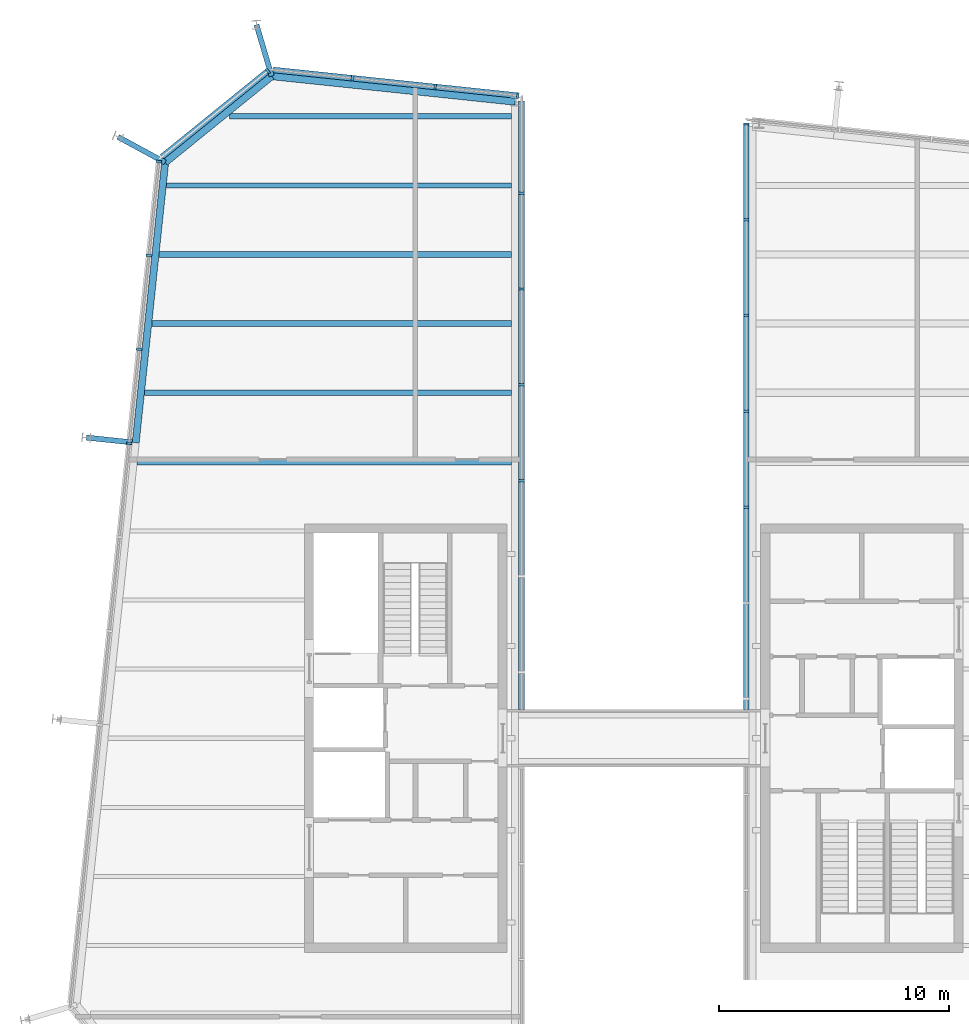
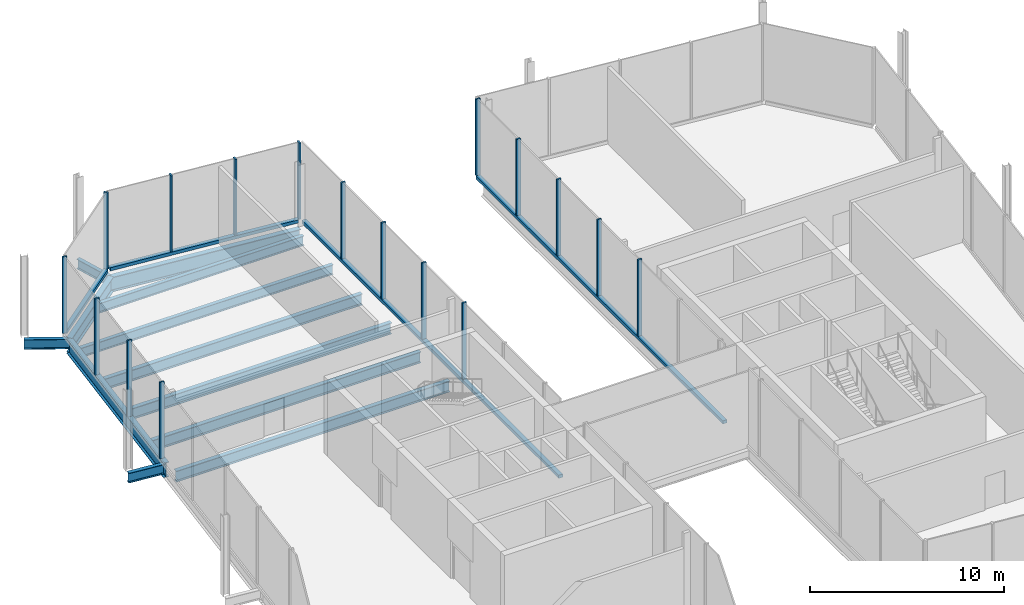
# One storey, part 5 of 12: 21 members, 12 beams, 5 elements without a shape of their own.
"""IFC4 building model written with IfcOpenShell, lengths in metres."""

from ifc_helpers import new_model, si_unit, direction, frame, origin, origin_2d, place, context, subcontext, project, spatial, rectangle, i_section, extrude, material, layer, layer_set, material_profile, profile_set, type_object, element, aggregate, save


model = new_model("IFC4")

# Units and contexts
model_context = context("Model", 3, precision=1e-05, world=origin(), true_north=direction((0.0, 1.0)))
body_context = subcontext(model_context, "Body", "Model", "MODEL_VIEW")
ifc_project = project(units=[si_unit("LENGTHUNIT", "METRE"), si_unit("AREAUNIT", "SQUARE_METRE"), si_unit("VOLUMEUNIT", "CUBIC_METRE"), si_unit("PLANEANGLEUNIT", "RADIAN"), si_unit("MASSUNIT", "GRAM", prefix="KILO")], contexts=[model_context])

# Site, building, storey
site_placement = place(None, origin())
site = spatial("IfcSite", under=ifc_project, at=site_placement, CompositionType="ELEMENT")
building_placement = place(site_placement, origin())
building = spatial("IfcBuilding", under=site, at=building_placement, Name="Millrace Tower", CompositionType="ELEMENT")
storey_placement = place(building_placement, frame((0.0, 0.0, 347.10009765625)))
storey = spatial("IfcBuildingStorey", under=building, at=storey_placement, Name="L80", CompositionType="ELEMENT", Elevation=347.10009765625)

# Curtain wall, members
ifc_material_1 = material(Name="Aluminium and glass", Category="aluminium")
ifc_layer = layer(ifc_material_1, 0.25)
ifc_layer_set = layer_set([ifc_layer], Name="Aluminium and glass")
curtain_wall_type = type_object("IfcCurtainWallType", Name="CW-7 crown louvred enclosure", PredefinedType="NOTDEFINED", material=ifc_layer_set)
placement = place(storey_placement, origin())
curtain_wall_1 = element("IfcCurtainWall", 1, at=placement, inside=storey, type_object=curtain_wall_type, Name="Curtain wall CW-F01 L80", PredefinedType="NOTDEFINED")
ifc_material_2 = material(Name="Aluminium", Category="aluminium")
ifc_material_profile_1 = material_profile(ifc_material_2, rectangle(XDim=0.10009765625, YDim=0.25, at=origin_2d()))
ifc_profile_set_1 = profile_set([ifc_material_profile_1], Name="Aluminium")
member_type_1 = type_object("IfcMemberType", Name="CW-7 crown louvred enclosure mullion", PredefinedType="MULLION", material=ifc_profile_set_1)
member_1_placement = place(storey_placement, frame((-4.875, 11.185302734375, 0.199951171875), z_axis=(0.0, 0.0, 1.0), x_axis=(0.0, 1.0, 0.0)))
member_1 = element("IfcMember", 2, at=member_1_placement, type_object=member_type_1, Name="CW7 mullion CW-F01.8", PredefinedType="MULLION", context=body_context, shape_type="SweptSolid", body=[
    extrude(rectangle(XDim=0.10009765625, YDim=0.25, at=origin_2d()), origin(), (0.0, 0.0, 1.0), 4.800048828125),
])
member_2_placement = place(storey_placement, frame((-4.875, 15.344482421875, 0.199951171875), z_axis=(0.0, 0.0, 1.0), x_axis=(0.0, 1.0, 0.0)))
member_2 = element("IfcMember", 3, at=member_2_placement, type_object=member_type_1, Name="CW7 mullion CW-F01.9", PredefinedType="MULLION", context=body_context, shape_type="SweptSolid", body=[
    extrude(rectangle(XDim=0.10009765625, YDim=0.25, at=origin_2d()), origin(), (0.0, 0.0, 1.0), 4.800048828125),
])
member_3_placement = place(storey_placement, frame((-4.875, 19.503662109375, 0.199951171875), z_axis=(0.0, 0.0, 1.0), x_axis=(0.0, 1.0, 0.0)))
member_3 = element("IfcMember", 4, at=member_3_placement, type_object=member_type_1, Name="CW7 mullion CW-F01.10", PredefinedType="MULLION", context=body_context, shape_type="SweptSolid", body=[
    extrude(rectangle(XDim=0.10009765625, YDim=0.25, at=origin_2d()), origin(), (0.0, 0.0, 1.0), 4.800048828125),
])
member_4_placement = place(storey_placement, frame((-4.875, 23.66259765625, 0.199951171875), z_axis=(0.0, 0.0, 1.0), x_axis=(0.0, 1.0, 0.0)))
member_4 = element("IfcMember", 5, at=member_4_placement, type_object=member_type_1, Name="CW7 mullion CW-F01.11", PredefinedType="MULLION", context=body_context, shape_type="SweptSolid", body=[
    extrude(rectangle(XDim=0.10009765625, YDim=0.25, at=origin_2d()), origin(), (0.0, 0.0, 1.0), 4.800048828125),
])

curtain_wall_2 = element("IfcCurtainWall", 6, at=placement, inside=storey, type_object=curtain_wall_type, Name="Curtain wall CW-F02 L80", PredefinedType="NOTDEFINED")
member_5_placement = place(storey_placement, frame((-5.03662109375, 27.9013671875, 0.199951171875), z_axis=(0.0, 0.0, 1.0), x_axis=(-0.994521893816, 0.104528478039, 0.0)))
member_5 = element("IfcMember", 7, at=member_5_placement, type_object=member_type_1, Name="CW7 mullion CW-F02.1", PredefinedType="MULLION", context=body_context, shape_type="SweptSolid", body=[
    extrude(rectangle(XDim=0.10009765625, YDim=0.25, at=origin_2d()), origin(), (0.0, 0.0, 1.0), 4.800048828125),
])
member_6_placement = place(storey_placement, frame((-8.626953125, 28.27880859375, 0.199951171875), z_axis=(0.0, 0.0, 1.0), x_axis=(-0.994521893816, 0.104528478039, 0.0)))
member_6 = element("IfcMember", 8, at=member_6_placement, type_object=member_type_1, Name="CW7 mullion CW-F02.2", PredefinedType="MULLION", context=body_context, shape_type="SweptSolid", body=[
    extrude(rectangle(XDim=0.10009765625, YDim=0.25, at=origin_2d()), origin(), (0.0, 0.0, 1.0), 4.800048828125),
])
member_7_placement = place(storey_placement, frame((-12.21728515625, 28.656005859375, 0.199951171875), z_axis=(0.0, 0.0, 1.0), x_axis=(-0.994521893816, 0.104528478039, 0.0)))
member_7 = element("IfcMember", 9, at=member_7_placement, type_object=member_type_1, Name="CW7 mullion CW-F02.3", PredefinedType="MULLION", context=body_context, shape_type="SweptSolid", body=[
    extrude(rectangle(XDim=0.10009765625, YDim=0.25, at=origin_2d()), origin(), (0.0, 0.0, 1.0), 4.800048828125),
])

# Curtain wall, member
curtain_wall_3 = element("IfcCurtainWall", 10, at=placement, inside=storey, type_object=curtain_wall_type, Name="Curtain wall CW-F03 L80", PredefinedType="NOTDEFINED")
member_8_placement = place(storey_placement, frame((-15.888427734375, 28.969482421875, 0.199951171875), z_axis=(0.0, 0.0, 1.0), x_axis=(-0.777146052237, -0.629320278945, 0.0)))
member_8 = element("IfcMember", 11, at=member_8_placement, type_object=member_type_1, Name="CW7 mullion CW-F03.1", PredefinedType="MULLION", context=body_context, shape_type="SweptSolid", body=[
    extrude(rectangle(XDim=0.10009765625, YDim=0.25, at=origin_2d()), origin(), (0.0, 0.0, 1.0), 4.800048828125),
])

# Curtain wall, members
curtain_wall_4 = element("IfcCurtainWall", 12, at=placement, inside=storey, type_object=curtain_wall_type, Name="Curtain wall CW-F04 L80", PredefinedType="NOTDEFINED")
member_9_placement = place(storey_placement, frame((-20.62646484375, 25.040283203125, 0.199951171875), z_axis=(0.0, 0.0, 1.0), x_axis=(-0.104528455196, -0.994521896217, 0.0)))
member_9 = element("IfcMember", 13, at=member_9_placement, type_object=member_type_1, Name="CW7 mullion CW-F04.1", PredefinedType="MULLION", context=body_context, shape_type="SweptSolid", body=[
    extrude(rectangle(XDim=0.10009765625, YDim=0.25, at=origin_2d()), origin(), (0.0, 0.0, 1.0), 4.800048828125),
])
member_10_placement = place(storey_placement, frame((-21.054931640625, 20.962646484375, 0.199951171875), z_axis=(0.0, 0.0, 1.0), x_axis=(-0.104528455196, -0.994521896217, 0.0)))
member_10 = element("IfcMember", 14, at=member_10_placement, type_object=member_type_1, Name="CW7 mullion CW-F04.2", PredefinedType="MULLION", context=body_context, shape_type="SweptSolid", body=[
    extrude(rectangle(XDim=0.10009765625, YDim=0.25, at=origin_2d()), origin(), (0.0, 0.0, 1.0), 4.800048828125),
])
member_11_placement = place(storey_placement, frame((-21.4833984375, 16.88525390625, 0.199951171875), z_axis=(0.0, 0.0, 1.0), x_axis=(-0.104528455196, -0.994521896217, 0.0)))
member_11 = element("IfcMember", 15, at=member_11_placement, type_object=member_type_1, Name="CW7 mullion CW-F04.3", PredefinedType="MULLION", context=body_context, shape_type="SweptSolid", body=[
    extrude(rectangle(XDim=0.10009765625, YDim=0.25, at=origin_2d()), origin(), (0.0, 0.0, 1.0), 4.800048828125),
])
member_12_placement = place(storey_placement, frame((-21.912109375, 12.8076171875, 0.199951171875), z_axis=(0.0, 0.0, 1.0), x_axis=(-0.104528455196, -0.994521896217, 0.0)))
member_12 = element("IfcMember", 16, at=member_12_placement, type_object=member_type_1, Name="CW7 mullion CW-F04.4", PredefinedType="MULLION", context=body_context, shape_type="SweptSolid", body=[
    extrude(rectangle(XDim=0.10009765625, YDim=0.25, at=origin_2d()), origin(), (0.0, 0.0, 1.0), 4.800048828125),
])
aggregate(curtain_wall_4, [member_9, member_10, member_11, member_12])

curtain_wall_5 = element("IfcCurtainWall", 17, at=placement, inside=storey, type_object=curtain_wall_type, Name="Curtain wall CE-F01 L80", PredefinedType="NOTDEFINED")
member_13_placement = place(storey_placement, frame((4.875, 26.6708984375, 0.199951171875), z_axis=(0.0, 0.0, 1.0), x_axis=(0.0, -1.0, 0.0)))
member_13 = element("IfcMember", 18, at=member_13_placement, type_object=member_type_1, Name="CW7 mullion CE-F01.1", PredefinedType="MULLION", context=body_context, shape_type="SweptSolid", body=[
    extrude(rectangle(XDim=0.10009765625, YDim=0.25, at=origin_2d()), origin(), (0.0, 0.0, 1.0), 4.800048828125),
])
member_14_placement = place(storey_placement, frame((4.875, 22.51171875, 0.199951171875), z_axis=(0.0, 0.0, 1.0), x_axis=(0.0, -1.0, 0.0)))
member_14 = element("IfcMember", 19, at=member_14_placement, type_object=member_type_1, Name="CW7 mullion CE-F01.2", PredefinedType="MULLION", context=body_context, shape_type="SweptSolid", body=[
    extrude(rectangle(XDim=0.10009765625, YDim=0.25, at=origin_2d()), origin(), (0.0, 0.0, 1.0), 4.800048828125),
])
member_15_placement = place(storey_placement, frame((4.875, 18.3525390625, 0.199951171875), z_axis=(0.0, 0.0, 1.0), x_axis=(0.0, -1.0, 0.0)))
member_15 = element("IfcMember", 20, at=member_15_placement, type_object=member_type_1, Name="CW7 mullion CE-F01.3", PredefinedType="MULLION", context=body_context, shape_type="SweptSolid", body=[
    extrude(rectangle(XDim=0.10009765625, YDim=0.25, at=origin_2d()), origin(), (0.0, 0.0, 1.0), 4.800048828125),
])
member_16_placement = place(storey_placement, frame((4.875, 14.193359375, 0.199951171875), z_axis=(0.0, 0.0, 1.0), x_axis=(0.0, -1.0, 0.0)))
member_16 = element("IfcMember", 21, at=member_16_placement, type_object=member_type_1, Name="CW7 mullion CE-F01.4", PredefinedType="MULLION", context=body_context, shape_type="SweptSolid", body=[
    extrude(rectangle(XDim=0.10009765625, YDim=0.25, at=origin_2d()), origin(), (0.0, 0.0, 1.0), 4.800048828125),
])
member_17_placement = place(storey_placement, frame((4.875, 10.0341796875, 0.199951171875), z_axis=(0.0, 0.0, 1.0), x_axis=(0.0, -1.0, 0.0)))
member_17 = element("IfcMember", 22, at=member_17_placement, type_object=member_type_1, Name="CW7 mullion CE-F01.5", PredefinedType="MULLION", context=body_context, shape_type="SweptSolid", body=[
    extrude(rectangle(XDim=0.10009765625, YDim=0.25, at=origin_2d()), origin(), (0.0, 0.0, 1.0), 4.800048828125),
])

# Member
ifc_material_3 = material(Name="Aluminium", Category="aluminium")
ifc_material_profile_2 = material_profile(ifc_material_3, rectangle(XDim=0.25, YDim=0.199951171875, at=origin_2d()))
ifc_profile_set_2 = profile_set([ifc_material_profile_2], Name="Aluminium")
member_type_2 = type_object("IfcMemberType", Name="CW-7 crown louvred enclosure transom", PredefinedType="USERDEFINED", material=ifc_profile_set_2)
member_18_placement = place(storey_placement, frame((-5.08642578125, 27.90673828125, 0.099853515625), z_axis=(-0.994522680115, 0.104520996633, 0.0), x_axis=(-0.104520996633, -0.994522680115, 0.0)))
member_18 = element("IfcMember", 23, at=member_18_placement, type_object=member_type_2, Name="CW7 transom CW-F02.1", ObjectType="TRANSOM", PredefinedType="USERDEFINED", context=body_context, shape_type="SweptSolid", body=[
    extrude(rectangle(XDim=0.25, YDim=0.199951171875, at=origin_2d()), origin(), (0.0, 0.0, 1.0), 10.630126953125),
])

aggregate(curtain_wall_2, [member_5, member_6, member_7, member_18])

member_19_placement = place(storey_placement, frame((-15.92724609375, 28.938232421875, 0.099853515625), z_axis=(-0.777145289151, -0.629321221277, 0.0), x_axis=(0.629321221277, -0.777145289151, 0.0)))
member_19 = element("IfcMember", 24, at=member_19_placement, type_object=member_type_2, Name="CW7 transom CW-F03.1", ObjectType="TRANSOM", PredefinedType="USERDEFINED", context=body_context, shape_type="SweptSolid", body=[
    extrude(rectangle(XDim=0.25, YDim=0.199951171875, at=origin_2d()), origin(), (0.0, 0.0, 1.0), 5.881103515625),
])

aggregate(curtain_wall_3, [member_8, member_19])

member_20_placement = place(storey_placement, frame((-4.875, 1.239990234375, 0.099853515625), z_axis=(0.0, 1.0, 0.0), x_axis=(-1.0, 0.0, 0.0)))
member_20 = element("IfcMember", 25, at=member_20_placement, type_object=member_type_2, Name="CW7 transom CW-F01.1", ObjectType="TRANSOM", PredefinedType="USERDEFINED", context=body_context, shape_type="SweptSolid", body=[
    extrude(rectangle(XDim=0.25, YDim=0.199951171875, at=origin_2d()), origin(), (0.0, 0.0, 1.0), 26.431884765625),
])

aggregate(curtain_wall_1, [member_1, member_2, member_3, member_4, member_20])

member_21_placement = place(storey_placement, frame((4.875, 1.239990234375, 0.099853515625), z_axis=(0.0, 1.0, 0.0), x_axis=(-1.0, 0.0, 0.0)))
member_21 = element("IfcMember", 26, at=member_21_placement, type_object=member_type_2, Name="CW7 transom CE-F01.1", ObjectType="TRANSOM", PredefinedType="USERDEFINED", context=body_context, shape_type="SweptSolid", body=[
    extrude(rectangle(XDim=0.25, YDim=0.199951171875, at=origin_2d()), origin(), (0.0, 0.0, 1.0), 25.380859375),
])

aggregate(curtain_wall_5, [member_13, member_14, member_15, member_16, member_17, member_21])

# Beams
ifc_material_4 = material(Name="Steel ASTM A992 Grade 50", Category="steel")
ifc_material_profile_3 = material_profile(ifc_material_4, i_section(OverallWidth=0.228271484375, OverallDepth=0.607177734375, WebThickness=0.01123046875, FlangeThickness=0.017333984375, FilletRadius=0.0126953125, at=origin_2d()))
ifc_profile_set_3 = profile_set([ifc_material_profile_3], Name="Steel ASTM A992 Grade 50")
beam_type_1 = type_object("IfcBeamType", Name="Floor beam W24x76", PredefinedType="JOIST", material=ifc_profile_set_3)
beam_1_placement = place(storey_placement, frame((-20.301025390625, 24.0, -0.503662109375), z_axis=(1.0, 0.0, 0.0), x_axis=(0.0, 1.0, 0.0)))
element("IfcBeam", 27, at=beam_1_placement, inside=storey, type_object=beam_type_1, Name="BM-CROWN-L80-SW-S014", PredefinedType="JOIST", context=body_context, shape_type="SweptSolid", body=[
    extrude(i_section(OverallWidth=0.228271484375, OverallDepth=0.607177734375, WebThickness=0.01123046875, FlangeThickness=0.017333984375, FilletRadius=0.0126953125, at=origin_2d()), origin(), (0.0, 0.0, 1.0), 14.99365234375),
])
beam_2_placement = place(storey_placement, frame((-17.565673828125, 27.0, -0.503662109375), z_axis=(1.0, 0.0, 0.0), x_axis=(0.0, 1.0, 0.0)))
element("IfcBeam", 28, at=beam_2_placement, inside=storey, type_object=beam_type_1, Name="BM-CROWN-L80-SW-S015", PredefinedType="JOIST", context=body_context, shape_type="SweptSolid", body=[
    extrude(i_section(OverallWidth=0.228271484375, OverallDepth=0.607177734375, WebThickness=0.01123046875, FlangeThickness=0.017333984375, FilletRadius=0.0126953125, at=origin_2d()), origin(), (0.0, 0.0, 1.0), 12.25830078125),
])
ifc_material_5 = material(Name="Steel ASTM A992 Grade 50", Category="steel")
ifc_material_profile_4 = material_profile(ifc_material_5, i_section(OverallWidth=0.256591796875, OverallDepth=0.693359375, WebThickness=0.014404296875, FlangeThickness=0.023681640625, FilletRadius=0.01513671875, at=origin_2d()))
ifc_profile_set_4 = profile_set([ifc_material_profile_4], Name="Steel ASTM A992 Grade 50")
beam_type_2 = type_object("IfcBeamType", Name="Floor beam W27x114", PredefinedType="JOIST", material=ifc_profile_set_4)
beam_3_placement = place(storey_placement, frame((-21.562255859375, 12.0, -0.546875), z_axis=(1.0, 0.0, 0.0), x_axis=(0.0, 1.0, 0.0)))
element("IfcBeam", 29, at=beam_3_placement, inside=storey, type_object=beam_type_2, Name="BM-CROWN-L80-SW-S010", PredefinedType="JOIST", context=body_context, shape_type="SweptSolid", body=[
    extrude(i_section(OverallWidth=0.256591796875, OverallDepth=0.693359375, WebThickness=0.014404296875, FlangeThickness=0.023681640625, FilletRadius=0.01513671875, at=origin_2d()), origin(), (0.0, 0.0, 1.0), 16.2548828125),
])
beam_4_placement = place(storey_placement, frame((-21.246826171875, 15.0, -0.546875), z_axis=(1.0, 0.0, 0.0), x_axis=(0.0, 1.0, 0.0)))
element("IfcBeam", 30, at=beam_4_placement, inside=storey, type_object=beam_type_2, Name="BM-CROWN-L80-SW-S011", PredefinedType="JOIST", context=body_context, shape_type="SweptSolid", body=[
    extrude(i_section(OverallWidth=0.256591796875, OverallDepth=0.693359375, WebThickness=0.014404296875, FlangeThickness=0.023681640625, FilletRadius=0.01513671875, at=origin_2d()), origin(), (0.0, 0.0, 1.0), 15.939453125),
])
beam_5_placement = place(storey_placement, frame((-20.931640625, 18.0, -0.546875), z_axis=(1.0, 0.0, 0.0), x_axis=(0.0, 1.0, 0.0)))
element("IfcBeam", 31, at=beam_5_placement, inside=storey, type_object=beam_type_2, Name="BM-CROWN-L80-SW-S012", PredefinedType="JOIST", context=body_context, shape_type="SweptSolid", body=[
    extrude(i_section(OverallWidth=0.256591796875, OverallDepth=0.693359375, WebThickness=0.014404296875, FlangeThickness=0.023681640625, FilletRadius=0.01513671875, at=origin_2d()), origin(), (0.0, 0.0, 1.0), 15.624267578125),
])
beam_6_placement = place(storey_placement, frame((-20.6162109375, 21.0, -0.546875), z_axis=(1.0, 0.0, 0.0), x_axis=(0.0, 1.0, 0.0)))
element("IfcBeam", 32, at=beam_6_placement, inside=storey, type_object=beam_type_2, Name="BM-CROWN-L80-SW-S013", PredefinedType="JOIST", context=body_context, shape_type="SweptSolid", body=[
    extrude(i_section(OverallWidth=0.256591796875, OverallDepth=0.693359375, WebThickness=0.014404296875, FlangeThickness=0.023681640625, FilletRadius=0.01513671875, at=origin_2d()), origin(), (0.0, 0.0, 1.0), 15.308837890625),
])
ifc_material_6 = material(Name="Steel ASTM A992 Grade 50", Category="steel")
ifc_material_profile_5 = material_profile(ifc_material_6, i_section(OverallWidth=0.23046875, OverallDepth=0.6171875, WebThickness=0.01318359375, FlangeThickness=0.022216796875, FilletRadius=0.012939453125, at=origin_2d()))
ifc_profile_set_5 = profile_set([ifc_material_profile_5], Name="Steel ASTM A992 Grade 50")
beam_type_3 = type_object("IfcBeamType", Name="Link beam W24x94", PredefinedType="BEAM", material=ifc_profile_set_5)
beam_7_placement = place(storey_placement, frame((-21.782470703125, 12.84423828125, -0.5087890625), z_axis=(-0.994512808172, 0.104614886044, 0.0), x_axis=(-0.104614886044, -0.994512808172, 0.0)))
element("IfcBeam", 33, at=beam_7_placement, inside=storey, type_object=beam_type_3, Name="LNK-CROWN-L80-SW-05", PredefinedType="BEAM", context=body_context, shape_type="SweptSolid", body=[
    extrude(i_section(OverallWidth=0.23046875, OverallDepth=0.6171875, WebThickness=0.01318359375, FlangeThickness=0.022216796875, FilletRadius=0.012939453125, at=origin_2d()), origin(), (0.0, 0.0, 1.0), 2.0),
])
for number, where, z_axis, x_axis, name in (
    (34, (-20.3505859375, 24.99755859375, -0.5087890625), (-0.87881453358, 0.477163510307, 0.0), (-0.477163510307, -0.87881453358, 0.0), "LNK-CROWN-L80-SW-06"),
    (35, (-15.7236328125, 28.744384765625, -0.5087890625), (-0.284031275065, 0.958815015936, 0.0), (-0.958815015936, -0.284031275065, 0.0), "LNK-CROWN-L80-SW-07"),
):
    element("IfcBeam", number, at=place(storey_placement, frame(where, z_axis=z_axis, x_axis=x_axis)), inside=storey, type_object=beam_type_3, Name=name, PredefinedType="BEAM", context=body_context, shape_type="SweptSolid", body=[
        extrude(i_section(OverallWidth=0.23046875, OverallDepth=0.6171875, WebThickness=0.01318359375, FlangeThickness=0.022216796875, FilletRadius=0.012939453125, at=origin_2d()), origin(), (0.0, 0.0, 1.0), 2.3310546875),
    ])
ifc_material_7 = material(Name="Steel ASTM A992 Grade 50", Category="steel")
ifc_material_profile_6 = material_profile(ifc_material_7, i_section(OverallWidth=0.307373046875, OverallDepth=0.927001953125, WebThickness=0.01953125, FlangeThickness=0.031982421875, FilletRadius=0.01904296875, at=origin_2d()))
ifc_profile_set_6 = profile_set([ifc_material_profile_6], Name="Steel ASTM A992 Grade 50")
beam_type_4 = type_object("IfcBeamType", Name="Ring beam medium span W36x194", PredefinedType="SPANDREL", material=ifc_profile_set_6)
beam_8_placement = place(storey_placement, frame((-21.629638671875, 12.828369140625, -0.66357421875), z_axis=(0.104530030035, 0.994521730693, 0.0), x_axis=(-0.994521730693, 0.104530030035, 0.0)))
element("IfcBeam", 36, at=beam_8_placement, inside=storey, type_object=beam_type_4, Name="RNG-CROWN-L80-SW-05", PredefinedType="SPANDREL", context=body_context, shape_type="SweptSolid", body=[
    extrude(i_section(OverallWidth=0.307373046875, OverallDepth=0.927001953125, WebThickness=0.01953125, FlangeThickness=0.031982421875, FilletRadius=0.01904296875, at=origin_2d()), origin(), (0.0, 0.0, 1.0), 12.236328125),
])
ifc_material_8 = material(Name="Steel ASTM A992 Grade 50", Category="steel")
ifc_material_profile_7 = material_profile(ifc_material_8, i_section(OverallWidth=0.307373046875, OverallDepth=0.927001953125, WebThickness=0.01953125, FlangeThickness=0.031982421875, FilletRadius=0.01904296875, at=origin_2d()))
ifc_profile_set_7 = profile_set([ifc_material_profile_7], Name="Steel ASTM A992 Grade 50")
beam_type_5 = type_object("IfcBeamType", Name="Ring beam short span W36x194", PredefinedType="SPANDREL", material=ifc_profile_set_7)
beam_9_placement = place(storey_placement, frame((-20.3505859375, 24.99755859375, -0.66357421875), z_axis=(0.777146502883, 0.629319722443, 0.0), x_axis=(-0.629319722443, 0.777146502883, 0.0)))
element("IfcBeam", 37, at=beam_9_placement, inside=storey, type_object=beam_type_5, Name="RNG-CROWN-L80-SW-06", PredefinedType="SPANDREL", context=body_context, shape_type="SweptSolid", body=[
    extrude(i_section(OverallWidth=0.307373046875, OverallDepth=0.927001953125, WebThickness=0.01953125, FlangeThickness=0.031982421875, FilletRadius=0.01904296875, at=origin_2d()), origin(), (0.0, 0.0, 1.0), 5.953857421875),
])
beam_10_placement = place(storey_placement, frame((-15.7236328125, 28.744384765625, -0.66357421875), z_axis=(0.994523060308, -0.104517379014, 0.0), x_axis=(0.104517379014, 0.994523060308, 0.0)))
element("IfcBeam", 38, at=beam_10_placement, inside=storey, type_object=beam_type_5, Name="RNG-CROWN-L80-SW-07", PredefinedType="SPANDREL", context=body_context, shape_type="SweptSolid", body=[
    extrude(i_section(OverallWidth=0.307373046875, OverallDepth=0.927001953125, WebThickness=0.01953125, FlangeThickness=0.031982421875, FilletRadius=0.01904296875, at=origin_2d()), origin(), (0.0, 0.0, 1.0), 10.628173828125),
])

save(model, "model.ifc")
